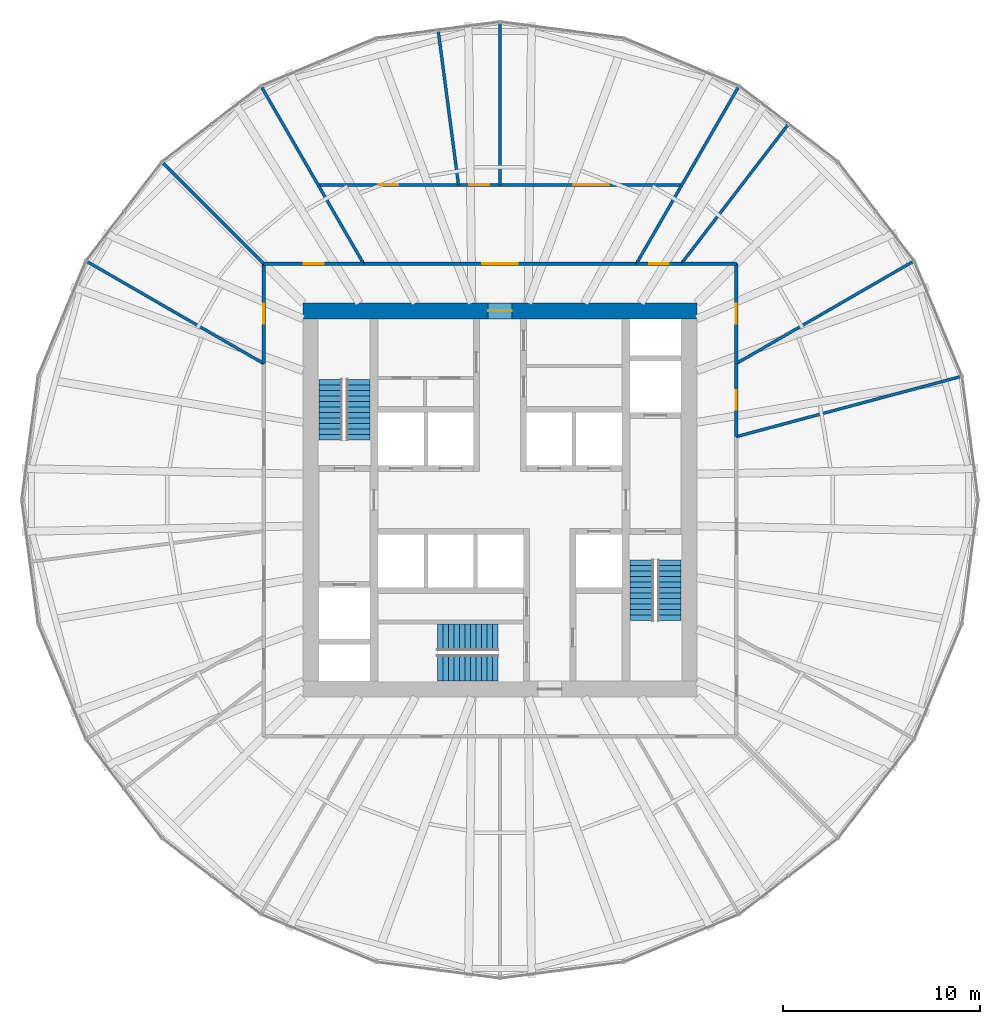
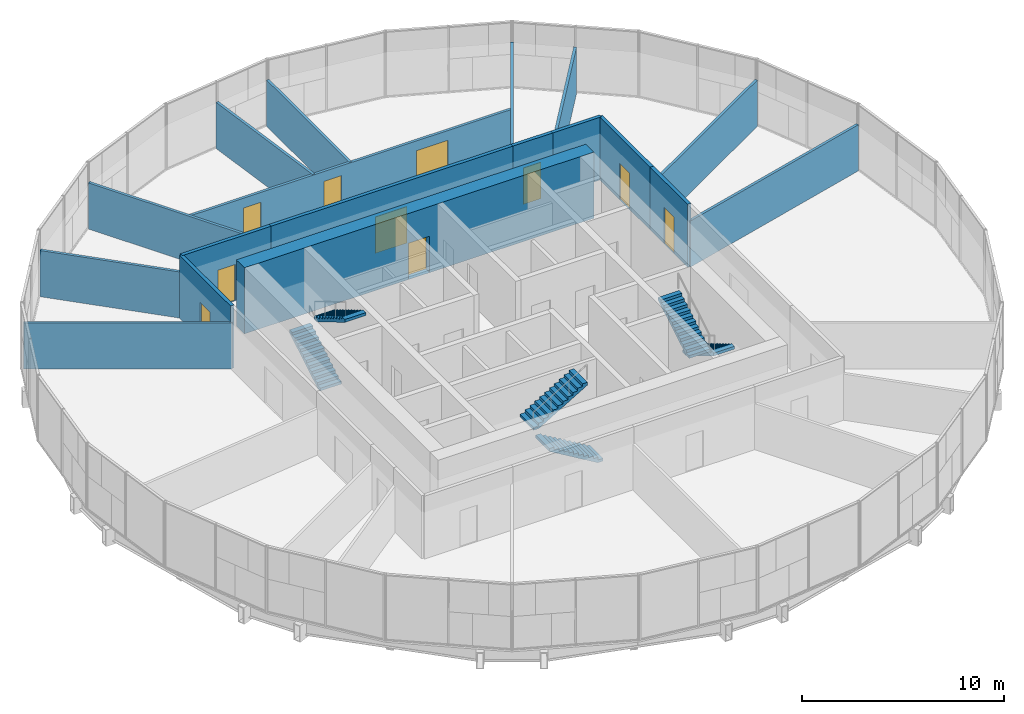
# One storey, part 12 of 13: 18 walls, 10 doors, 6 stair flights, 10 openings, 3 elements without a shape of their own.
"""IFC4 building model written with IfcOpenShell, lengths in metres."""

from ifc_helpers import new_model, si_unit, direction, frame, frame_2d, origin, place, context, subcontext, project, spatial, polyline, rectangle, outline, extrude, material, layer, layer_set, type_object, element, fill, aggregate, save


model = new_model("IFC4")

# Units and contexts
model_context = context("Model", 3, precision=1e-05, world=origin(), true_north=direction((0.0, 1.0)))
body_context = subcontext(model_context, "Body", "Model", "MODEL_VIEW")
ifc_project = project(units=[si_unit("LENGTHUNIT", "METRE"), si_unit("AREAUNIT", "SQUARE_METRE"), si_unit("VOLUMEUNIT", "CUBIC_METRE"), si_unit("PLANEANGLEUNIT", "RADIAN"), si_unit("MASSUNIT", "GRAM", prefix="KILO")], contexts=[model_context])

# Site, building, storey
site_placement = place(None, origin())
site = spatial("IfcSite", under=ifc_project, at=site_placement, CompositionType="ELEMENT")
building_placement = place(site_placement, origin())
building = spatial("IfcBuilding", under=site, at=building_placement, Name="Golbaran Civic Tower", CompositionType="ELEMENT")
storey_placement = place(building_placement, frame((0.0, 0.0, 81.0)))
storey = spatial("IfcBuildingStorey", under=building, at=storey_placement, Name="L19", CompositionType="ELEMENT", Elevation=81.0)

# Wall, opening, door
ifc_material_1 = material(Name="Concrete C50/60", Category="concrete")
ifc_layer_1 = layer(ifc_material_1, 0.800048828125, Name="Concrete C50/60")
ifc_layer_set_1 = layer_set([ifc_layer_1], Name="Concrete C50/60")
wall_type_1 = type_object("IfcWallType", Name="CORE WALL CONCRETE 800", PredefinedType="SOLIDWALL", material=ifc_layer_set_1)
wall_1_placement = place(storey_placement, frame((-10.0, 9.60009765625, 0.0), z_axis=(0.0, 0.0, 1.0), x_axis=(1.0, 0.0, 0.0)))
wall_1 = element("IfcWall", 1, at=wall_1_placement, inside=storey, type_object=wall_type_1, Name="Core wall CN L19", PredefinedType="SOLIDWALL", context=body_context, shape_type="SweptSolid", body=[
    extrude(rectangle(XDim=20.0, YDim=0.800048828125, at=frame_2d((10.0, 0.0))), origin(), (0.0, 0.0, 1.0), 4.0),
])
opening_1_placement = place(wall_1_placement, frame((9.39990234375, 0.0, 0.0)))
opening_1 = element("IfcOpeningElement", 2, at=opening_1_placement, cuts=wall_1, Name="Opening L19.CN", PredefinedType="OPENING", context=body_context, shape_type="SweptSolid", body=[
    extrude(rectangle(XDim=1.199951171875, YDim=2.199951171875, at=frame_2d((0.60009765625, 1.10009765625))), frame((0.0, 0.409912109375, 0.0), z_axis=(0.0, -1.0, 0.0), x_axis=(1.0, 0.0, 0.0)), (0.0, 0.0, 1.0), 0.820068359375),
])
ifc_material_2 = material(Name="Timber door set in steel frame", Category="steel")
door_type_1 = type_object("IfcDoorType", Name="CORE DOOR 1200x2200", OperationType="DOUBLE_DOOR_SINGLE_SWING", PredefinedType="DOOR", material=ifc_material_2)
door_1_placement = place(opening_1_placement, origin())
door_1 = element("IfcDoor", 3, at=door_1_placement, inside=storey, type_object=door_type_1, Name="Core door north", OperationType="DOUBLE_DOOR_SINGLE_SWING", OverallHeight=2.199951171875, OverallWidth=1.199951171875, PredefinedType="DOOR", context=body_context, shape_type="SweptSolid", body=[
    extrude(rectangle(XDim=1.199951171875, YDim=2.199951171875, at=frame_2d((0.60009765625, 1.10009765625))), frame((0.0, 0.02490234375, 0.0), z_axis=(0.0, -1.0, 0.0), x_axis=(1.0, 0.0, 0.0)), (0.0, 0.0, 1.0), 0.050048828125),
])
fill(opening_1, door_1)

ifc_material_3 = material(Name="Gypsum board on steel studs, fire-rated", Category="steel")
ifc_layer_2 = layer(ifc_material_3, 0.199951171875, Name="Gypsum board on steel studs, fire-rated")
ifc_layer_set_2 = layer_set([ifc_layer_2], Name="Gypsum board on steel studs, fire-rated")
wall_type_2 = type_object("IfcWallType", Name="CORRIDOR WALL 200", PredefinedType="PARTITIONING", material=ifc_layer_set_2)
wall_2_placement = place(storey_placement, frame((12.0, 3.21533203125, 0.0), z_axis=(0.0, 0.0, 1.0), x_axis=(0.0, 1.0, 0.0)))
wall_2 = element("IfcWall", 4, at=wall_2_placement, inside=storey, type_object=wall_type_2, Name="Corridor wall L19", PredefinedType="PARTITIONING", context=body_context, shape_type="SweptSolid", body=[
    extrude(rectangle(XDim=3.712890625, YDim=0.199951171875, at=frame_2d((1.8564453125, 0.0))), origin(), (0.0, 0.0, 1.0), 3.800048828125),
])
opening_2_placement = place(wall_2_placement, frame((1.3564453125, 0.0, 0.0)))
opening_2 = element("IfcOpeningElement", 5, at=opening_2_placement, cuts=wall_2, Name="Opening L19.05", PredefinedType="OPENING", context=body_context, shape_type="SweptSolid", body=[
    extrude(rectangle(XDim=1.0, YDim=2.199951171875, at=frame_2d((0.5, 1.10009765625))), frame((0.0, 0.10986328125, 0.0), z_axis=(0.0, -1.0, 0.0), x_axis=(1.0, 0.0, 0.0)), (0.0, 0.0, 1.0), 0.219970703125),
])
door_type_2 = type_object("IfcDoorType", Name="OFFICE DOOR 1000x2200", OperationType="SINGLE_SWING_LEFT", PredefinedType="DOOR", material=ifc_material_2)
door_2_placement = place(opening_2_placement, origin())
door_2 = element("IfcDoor", 6, at=door_2_placement, inside=storey, type_object=door_type_2, Name="Meeting Room door L19", OperationType="SINGLE_SWING_LEFT", OverallHeight=2.199951171875, OverallWidth=1.0, PredefinedType="DOOR", context=body_context, shape_type="SweptSolid", body=[
    extrude(rectangle(XDim=1.0, YDim=2.199951171875, at=frame_2d((0.5, 1.10009765625))), frame((0.0, 0.02490234375, 0.0), z_axis=(0.0, -1.0, 0.0), x_axis=(1.0, 0.0, 0.0)), (0.0, 0.0, 1.0), 0.050048828125),
])
fill(opening_2, door_2)

wall_3_placement = place(storey_placement, frame((12.0, 6.92822265625, 0.0), z_axis=(0.0, 0.0, 1.0), x_axis=(0.0, 1.0, 0.0)))
wall_3 = element("IfcWall", 7, at=wall_3_placement, inside=storey, type_object=wall_type_2, Name="Corridor wall L19", PredefinedType="PARTITIONING", context=body_context, shape_type="SweptSolid", body=[
    extrude(rectangle(XDim=5.07177734375, YDim=0.199951171875, at=frame_2d((2.535888671875, 0.0))), origin(), (0.0, 0.0, 1.0), 3.800048828125),
])
opening_3_placement = place(wall_3_placement, frame((2.035888671875, 0.0, 0.0)))
opening_3 = element("IfcOpeningElement", 8, at=opening_3_placement, cuts=wall_3, Name="Opening L19.06", PredefinedType="OPENING", context=body_context, shape_type="SweptSolid", body=[
    extrude(rectangle(XDim=1.0, YDim=2.199951171875, at=frame_2d((0.5, 1.10009765625))), frame((0.0, 0.10986328125, 0.0), z_axis=(0.0, -1.0, 0.0), x_axis=(1.0, 0.0, 0.0)), (0.0, 0.0, 1.0), 0.219970703125),
])
door_3_placement = place(opening_3_placement, origin())
door_3 = element("IfcDoor", 9, at=door_3_placement, inside=storey, type_object=door_type_2, Name="Pantry door L19", OperationType="SINGLE_SWING_LEFT", OverallHeight=2.199951171875, OverallWidth=1.0, PredefinedType="DOOR", context=body_context, shape_type="SweptSolid", body=[
    extrude(rectangle(XDim=1.0, YDim=2.199951171875, at=frame_2d((0.5, 1.10009765625))), frame((0.0, 0.02490234375, 0.0), z_axis=(0.0, -1.0, 0.0), x_axis=(1.0, 0.0, 0.0)), (0.0, 0.0, 1.0), 0.050048828125),
])
fill(opening_3, door_3)

# Wall
wall_4_placement = place(storey_placement, frame((12.0, 12.0, 0.0), z_axis=(0.0, 0.0, 1.0), x_axis=(-1.0, 0.0, 0.0)))
element("IfcWall", 10, at=wall_4_placement, inside=storey, type_object=wall_type_2, Name="Corridor wall L19", PredefinedType="PARTITIONING", context=body_context, shape_type="SweptSolid", body=[
    extrude(rectangle(XDim=2.7919921875, YDim=0.199951171875, at=frame_2d((1.39599609375, 0.0))), origin(), (0.0, 0.0, 1.0), 3.800048828125),
])

# Wall, opening, door
wall_5_placement = place(storey_placement, frame((9.2080078125, 12.0, 0.0), z_axis=(0.0, 0.0, 1.0), x_axis=(-1.0, 0.0, 0.0)))
wall_5 = element("IfcWall", 11, at=wall_5_placement, inside=storey, type_object=wall_type_2, Name="Corridor wall L19", PredefinedType="PARTITIONING", context=body_context, shape_type="SweptSolid", body=[
    extrude(rectangle(XDim=2.27978515625, YDim=0.199951171875, at=frame_2d((1.139892578125, 0.0))), origin(), (0.0, 0.0, 1.0), 3.800048828125),
])
opening_4_placement = place(wall_5_placement, frame((0.639892578125, 0.0, 0.0)))
opening_4 = element("IfcOpeningElement", 12, at=opening_4_placement, cuts=wall_5, Name="Opening L19.07", PredefinedType="OPENING", context=body_context, shape_type="SweptSolid", body=[
    extrude(rectangle(XDim=1.0, YDim=2.199951171875, at=frame_2d((0.5, 1.10009765625))), frame((0.0, 0.10986328125, 0.0), z_axis=(0.0, -1.0, 0.0), x_axis=(1.0, 0.0, 0.0)), (0.0, 0.0, 1.0), 0.219970703125),
])
door_4_placement = place(opening_4_placement, origin())
door_4 = element("IfcDoor", 13, at=door_4_placement, inside=storey, type_object=door_type_2, Name="Prayer Room door L19", OperationType="SINGLE_SWING_RIGHT", OverallHeight=2.199951171875, OverallWidth=1.0, PredefinedType="DOOR", context=body_context, shape_type="SweptSolid", body=[
    extrude(rectangle(XDim=1.0, YDim=2.199951171875, at=frame_2d((0.5, 1.10009765625))), frame((0.0, 0.02490234375, 0.0), z_axis=(0.0, -1.0, 0.0), x_axis=(1.0, 0.0, 0.0)), (0.0, 0.0, 1.0), 0.050048828125),
])
fill(opening_4, door_4)

wall_6_placement = place(storey_placement, frame((6.92822265625, 12.0, 0.0), z_axis=(0.0, 0.0, 1.0), x_axis=(-1.0, 0.0, 0.0)))
wall_6 = element("IfcWall", 14, at=wall_6_placement, inside=storey, type_object=wall_type_2, Name="Corridor wall L19", PredefinedType="PARTITIONING", context=body_context, shape_type="SweptSolid", body=[
    extrude(rectangle(XDim=13.8564453125, YDim=0.199951171875, at=frame_2d((6.92822265625, 0.0))), origin(), (0.0, 0.0, 1.0), 3.800048828125),
])
opening_5_placement = place(wall_6_placement, frame((6.0283203125, 0.0, 0.0)))
opening_5 = element("IfcOpeningElement", 15, at=opening_5_placement, cuts=wall_6, Name="Opening L19.08", PredefinedType="OPENING", context=body_context, shape_type="SweptSolid", body=[
    extrude(rectangle(XDim=1.800048828125, YDim=2.199951171875, at=frame_2d((0.89990234375, 1.10009765625))), frame((0.0, 0.10986328125, 0.0), z_axis=(0.0, -1.0, 0.0), x_axis=(1.0, 0.0, 0.0)), (0.0, 0.0, 1.0), 0.219970703125),
])
door_type_3 = type_object("IfcDoorType", Name="OFFICE DOUBLE DOOR 1800x2200", OperationType="DOUBLE_DOOR_SINGLE_SWING", PredefinedType="DOOR", material=ifc_material_2)
door_5_placement = place(opening_5_placement, origin())
door_5 = element("IfcDoor", 16, at=door_5_placement, inside=storey, type_object=door_type_3, Name="Secretariat door L19", OperationType="DOUBLE_DOOR_SINGLE_SWING", OverallHeight=2.199951171875, OverallWidth=1.800048828125, PredefinedType="DOOR", context=body_context, shape_type="SweptSolid", body=[
    extrude(rectangle(XDim=1.800048828125, YDim=2.199951171875, at=frame_2d((0.89990234375, 1.10009765625))), frame((0.0, 0.02490234375, 0.0), z_axis=(0.0, -1.0, 0.0), x_axis=(1.0, 0.0, 0.0)), (0.0, 0.0, 1.0), 0.050048828125),
])
fill(opening_5, door_5)

wall_7_placement = place(storey_placement, frame((-6.92822265625, 12.0, 0.0), z_axis=(0.0, 0.0, 1.0), x_axis=(-1.0, 0.0, 0.0)))
wall_7 = element("IfcWall", 17, at=wall_7_placement, inside=storey, type_object=wall_type_2, Name="Corridor wall L19", PredefinedType="PARTITIONING", context=body_context, shape_type="SweptSolid", body=[
    extrude(rectangle(XDim=5.07177734375, YDim=0.199951171875, at=frame_2d((2.535888671875, 0.0))), origin(), (0.0, 0.0, 1.0), 3.800048828125),
])
opening_6_placement = place(wall_7_placement, frame((2.035888671875, 0.0, 0.0)))
opening_6 = element("IfcOpeningElement", 18, at=opening_6_placement, cuts=wall_7, Name="Opening L19.09", PredefinedType="OPENING", context=body_context, shape_type="SweptSolid", body=[
    extrude(rectangle(XDim=1.0, YDim=2.199951171875, at=frame_2d((0.5, 1.10009765625))), frame((0.0, 0.10986328125, 0.0), z_axis=(0.0, -1.0, 0.0), x_axis=(1.0, 0.0, 0.0)), (0.0, 0.0, 1.0), 0.219970703125),
])
door_6_placement = place(opening_6_placement, origin())
door_6 = element("IfcDoor", 19, at=door_6_placement, inside=storey, type_object=door_type_2, Name="Meeting Room door L19", OperationType="SINGLE_SWING_RIGHT", OverallHeight=2.199951171875, OverallWidth=1.0, PredefinedType="DOOR", context=body_context, shape_type="SweptSolid", body=[
    extrude(rectangle(XDim=1.0, YDim=2.199951171875, at=frame_2d((0.5, 1.10009765625))), frame((0.0, 0.02490234375, 0.0), z_axis=(0.0, -1.0, 0.0), x_axis=(1.0, 0.0, 0.0)), (0.0, 0.0, 1.0), 0.050048828125),
])
fill(opening_6, door_6)

wall_8_placement = place(storey_placement, frame((-12.0, 12.0, 0.0), z_axis=(0.0, 0.0, 1.0), x_axis=(0.0, -1.0, 0.0)))
wall_8 = element("IfcWall", 20, at=wall_8_placement, inside=storey, type_object=wall_type_2, Name="Corridor wall L19", PredefinedType="PARTITIONING", context=body_context, shape_type="SweptSolid", body=[
    extrude(rectangle(XDim=5.07177734375, YDim=0.199951171875, at=frame_2d((2.535888671875, 0.0))), origin(), (0.0, 0.0, 1.0), 3.800048828125),
])
opening_7_placement = place(wall_8_placement, frame((2.035888671875, 0.0, 0.0)))
opening_7 = element("IfcOpeningElement", 21, at=opening_7_placement, cuts=wall_8, Name="Opening L19.10", PredefinedType="OPENING", context=body_context, shape_type="SweptSolid", body=[
    extrude(rectangle(XDim=1.0, YDim=2.199951171875, at=frame_2d((0.5, 1.10009765625))), frame((0.0, 0.10986328125, 0.0), z_axis=(0.0, -1.0, 0.0), x_axis=(1.0, 0.0, 0.0)), (0.0, 0.0, 1.0), 0.219970703125),
])
door_7_placement = place(opening_7_placement, origin())
door_7 = element("IfcDoor", 22, at=door_7_placement, inside=storey, type_object=door_type_2, Name="Print and Copy Room door L19", OperationType="SINGLE_SWING_RIGHT", OverallHeight=2.199951171875, OverallWidth=1.0, PredefinedType="DOOR", context=body_context, shape_type="SweptSolid", body=[
    extrude(rectangle(XDim=1.0, YDim=2.199951171875, at=frame_2d((0.5, 1.10009765625))), frame((0.0, 0.02490234375, 0.0), z_axis=(0.0, -1.0, 0.0), x_axis=(1.0, 0.0, 0.0)), (0.0, 0.0, 1.0), 0.050048828125),
])
fill(opening_7, door_7)

# Walls
ifc_material_4 = material(Name="Gypsum board on steel studs", Category="steel")
ifc_layer_3 = layer(ifc_material_4, 0.14990234375, Name="Gypsum board on steel studs")
ifc_layer_set_3 = layer_set([ifc_layer_3], Name="Gypsum board on steel studs")
wall_type_3 = type_object("IfcWallType", Name="OFFICE PARTITION 150", PredefinedType="PARTITIONING", material=ifc_layer_set_3)
wall_9_placement = place(storey_placement, frame((12.0, 3.21533203125, 0.0), z_axis=(0.0, 0.0, 1.0), x_axis=(0.965925934223, 0.258818642288, 0.0)))
element("IfcWall", 23, at=wall_9_placement, inside=storey, type_object=wall_type_3, Name="Partition 15 L19", PredefinedType="PARTITIONING", context=body_context, shape_type="SweptSolid", body=[
    extrude(rectangle(XDim=11.776123046875, YDim=0.14990234375, at=frame_2d((5.88818359375, 0.0))), origin(), (0.0, 0.0, 1.0), 2.7900390625),
])
wall_10_placement = place(storey_placement, frame((12.0, 6.92822265625, 0.0), z_axis=(0.0, 0.0, 1.0), x_axis=(0.866023632182, 0.500003068493, 0.0)))
element("IfcWall", 24, at=wall_10_placement, inside=storey, type_object=wall_type_3, Name="Partition 30 L19", PredefinedType="PARTITIONING", context=body_context, shape_type="SweptSolid", body=[
    extrude(rectangle(XDim=10.3427734375, YDim=0.14990234375, at=frame_2d((5.17138671875, 0.0))), origin(), (0.0, 0.0, 1.0), 2.7900390625),
])
wall_11_placement = place(storey_placement, frame((9.2080078125, 12.0, 0.0), z_axis=(0.0, 0.0, 1.0), x_axis=(0.608757526406, 0.793356334848, 0.0)))
element("IfcWall", 25, at=wall_11_placement, inside=storey, type_object=wall_type_3, Name="Partition 52.5 L19", PredefinedType="PARTITIONING", context=body_context, shape_type="SweptSolid", body=[
    extrude(rectangle(XDim=8.866455078125, YDim=0.14990234375, at=frame_2d((4.43310546875, 0.0))), origin(), (0.0, 0.0, 1.0), 2.7900390625),
])
for number, where, z_axis, x_axis, name in (
    (26, (6.92822265625, 12.0, 0.0), (0.0, 0.0, 1.0), (0.500003068493, 0.866023632182, 0.0), "Partition 60 L19"),
    (27, (-6.92822265625, 12.0, 0.0), (0.0, 0.0, 1.0), (-0.500003068493, 0.866023632182, 0.0), "Partition 120 L19"),
):
    element("IfcWall", number, at=place(storey_placement, frame(where, z_axis=z_axis, x_axis=x_axis)), inside=storey, type_object=wall_type_3, Name=name, PredefinedType="PARTITIONING", context=body_context, shape_type="SweptSolid", body=[
        extrude(rectangle(XDim=10.3427734375, YDim=0.14990234375, at=frame_2d((5.17138671875, 0.0))), origin(), (0.0, 0.0, 1.0), 2.7900390625),
    ])
wall_12_placement = place(storey_placement, frame((-12.0, 12.0, 0.0), z_axis=(0.0, 0.0, 1.0), x_axis=(-0.707106781187, 0.707106781187, 0.0)))
element("IfcWall", 28, at=wall_12_placement, inside=storey, type_object=wall_type_3, Name="Partition 135 L19", PredefinedType="PARTITIONING", context=body_context, shape_type="SweptSolid", body=[
    extrude(rectangle(XDim=7.228515625, YDim=0.14990234375, at=frame_2d((3.6142578125, 0.0))), origin(), (0.0, 0.0, 1.0), 2.7900390625),
])
wall_13_placement = place(storey_placement, frame((-12.0, 6.92822265625, 0.0), z_axis=(0.0, 0.0, 1.0), x_axis=(-0.866023632182, 0.500003068493, 0.0)))
element("IfcWall", 29, at=wall_13_placement, inside=storey, type_object=wall_type_3, Name="Partition 150 L19", PredefinedType="PARTITIONING", context=body_context, shape_type="SweptSolid", body=[
    extrude(rectangle(XDim=10.3427734375, YDim=0.14990234375, at=frame_2d((5.17138671875, 0.0))), origin(), (0.0, 0.0, 1.0), 2.7900390625),
])

# Wall, openings, doors
wall_14_placement = place(storey_placement, frame((9.237548828125, 16.0, 0.0), z_axis=(0.0, 0.0, 1.0), x_axis=(-1.0, 0.0, 0.0)))
wall_14 = element("IfcWall", 30, at=wall_14_placement, inside=storey, type_object=wall_type_3, Name="Suite partition L19", PredefinedType="PARTITIONING", context=body_context, shape_type="SweptSolid", body=[
    extrude(rectangle(XDim=18.47509765625, YDim=0.14990234375, at=frame_2d((9.237548828125, 0.0))), origin(), (0.0, 0.0, 1.0), 2.7900390625),
])
opening_8_placement = place(wall_14_placement, frame((3.71875, 0.0, 0.0)))
opening_8 = element("IfcOpeningElement", 31, at=opening_8_placement, cuts=wall_14, Name="Opening L19.01", PredefinedType="OPENING", context=body_context, shape_type="SweptSolid", body=[
    extrude(rectangle(XDim=1.800048828125, YDim=2.199951171875, at=frame_2d((0.89990234375, 1.10009765625))), frame((0.0, 0.0849609375, 0.0), z_axis=(0.0, -1.0, 0.0), x_axis=(1.0, 0.0, 0.0)), (0.0, 0.0, 1.0), 0.169921875),
])
opening_9_placement = place(wall_14_placement, frame((9.790771484375, 0.0, 0.0)))
opening_9 = element("IfcOpeningElement", 32, at=opening_9_placement, cuts=wall_14, Name="Opening L19.02", PredefinedType="OPENING", context=body_context, shape_type="SweptSolid", body=[
    extrude(rectangle(XDim=1.0, YDim=2.199951171875, at=frame_2d((0.5, 1.10009765625))), frame((0.0, 0.0849609375, 0.0), z_axis=(0.0, -1.0, 0.0), x_axis=(1.0, 0.0, 0.0)), (0.0, 0.0, 1.0), 0.169921875),
])
opening_10_placement = place(wall_14_placement, frame((14.40966796875, 0.0, 0.0)))
opening_10 = element("IfcOpeningElement", 33, at=opening_10_placement, cuts=wall_14, Name="Opening L19.03", PredefinedType="OPENING", context=body_context, shape_type="SweptSolid", body=[
    extrude(rectangle(XDim=1.0, YDim=2.199951171875, at=frame_2d((0.5, 1.10009765625))), frame((0.0, 0.0849609375, 0.0), z_axis=(0.0, -1.0, 0.0), x_axis=(1.0, 0.0, 0.0)), (0.0, 0.0, 1.0), 0.169921875),
])
door_8_placement = place(opening_9_placement, origin())
door_8 = element("IfcDoor", 34, at=door_8_placement, inside=storey, type_object=door_type_2, Name="Office door L19", OperationType="SINGLE_SWING_RIGHT", OverallHeight=2.199951171875, OverallWidth=1.0, PredefinedType="DOOR", context=body_context, shape_type="SweptSolid", body=[
    extrude(rectangle(XDim=1.0, YDim=2.199951171875, at=frame_2d((0.5, 1.10009765625))), frame((0.0, 0.02490234375, 0.0), z_axis=(0.0, -1.0, 0.0), x_axis=(1.0, 0.0, 0.0)), (0.0, 0.0, 1.0), 0.050048828125),
])
fill(opening_9, door_8)
door_9_placement = place(opening_10_placement, origin())
door_9 = element("IfcDoor", 35, at=door_9_placement, inside=storey, type_object=door_type_2, Name="Director's Office door L19", OperationType="SINGLE_SWING_RIGHT", OverallHeight=2.199951171875, OverallWidth=1.0, PredefinedType="DOOR", context=body_context, shape_type="SweptSolid", body=[
    extrude(rectangle(XDim=1.0, YDim=2.199951171875, at=frame_2d((0.5, 1.10009765625))), frame((0.0, 0.02490234375, 0.0), z_axis=(0.0, -1.0, 0.0), x_axis=(1.0, 0.0, 0.0)), (0.0, 0.0, 1.0), 0.050048828125),
])
fill(opening_10, door_9)
door_10_placement = place(opening_8_placement, origin())
door_10 = element("IfcDoor", 36, at=door_10_placement, inside=storey, type_object=door_type_3, Name="Director's Office door L19", OperationType="DOUBLE_DOOR_SINGLE_SWING", OverallHeight=2.199951171875, OverallWidth=1.800048828125, PredefinedType="DOOR", context=body_context, shape_type="SweptSolid", body=[
    extrude(rectangle(XDim=1.800048828125, YDim=2.199951171875, at=frame_2d((0.89990234375, 1.10009765625))), frame((0.0, 0.02490234375, 0.0), z_axis=(0.0, -1.0, 0.0), x_axis=(1.0, 0.0, 0.0)), (0.0, 0.0, 1.0), 0.050048828125),
])
fill(opening_8, door_10)

# Walls
wall_15_placement = place(storey_placement, frame((0.0, 16.0, 0.0), z_axis=(0.0, 0.0, 1.0), x_axis=(0.0, 1.0, 0.0)))
element("IfcWall", 37, at=wall_15_placement, inside=storey, type_object=wall_type_3, Name="Partition 90 L19", PredefinedType="PARTITIONING", context=body_context, shape_type="SweptSolid", body=[
    extrude(rectangle(XDim=8.19921875, YDim=0.14990234375, at=frame_2d((4.099609375, 0.0))), origin(), (0.0, 0.0, 1.0), 2.7900390625),
])
wall_16_placement = place(storey_placement, frame((-2.1064453125, 16.0, 0.0), z_axis=(0.0, 0.0, 1.0), x_axis=(-0.130524468592, 0.991445088292, 0.0)))
element("IfcWall", 38, at=wall_16_placement, inside=storey, type_object=wall_type_3, Name="Partition 97.5 L19", PredefinedType="PARTITIONING", context=body_context, shape_type="SweptSolid", body=[
    extrude(rectangle(XDim=7.85400390625, YDim=0.14990234375, at=frame_2d((3.927001953125, 0.0))), origin(), (0.0, 0.0, 1.0), 2.7900390625),
])

# Stair, stair flights
ifc_material_5 = material(Name="Concrete C35/45", Category="concrete")
stair_type_1 = type_object("IfcStairType", Name="EXIT STAIR 2600 x 7450, 4000 RISE", PredefinedType="HALF_TURN_STAIR", material=ifc_material_5)
stair_1_placement = place(storey_placement, origin())
stair_1 = element("IfcStair", 39, at=stair_1_placement, inside=storey, type_object=stair_type_1, Name="Stair S1 L19", PredefinedType="HALF_TURN_STAIR")
stair_flight_type_1 = type_object("IfcStairFlightType", Name="STAIR FLIGHT 1200 WIDE", PredefinedType="STRAIGHT", material=ifc_material_5)
stair_flight_1_placement = place(storey_placement, frame((-8.60009765625, 3.050048828125, 0.0), z_axis=(0.0, 0.0, 1.0), x_axis=(0.0, 1.0, 0.0)))
stair_flight_1 = element("IfcStairFlight", 40, at=stair_flight_1_placement, type_object=stair_flight_type_1, Name="ST26074-40 flight 1", NumberOfRisers=12, NumberOfTreads=11, PredefinedType="STRAIGHT", RiserHeight=0.166666667, TreadLength=0.28, context=body_context, shape_type="SweptSolid", body=[
    extrude(outline(polyline([(0.0, 0.0), (0.0, 0.166748046875), (0.280029296875, 0.166748046875), (0.280029296875, 0.333251953125), (0.56005859375, 0.333251953125), (0.56005859375, 0.5), (0.840087890625, 0.5), (0.840087890625, 0.666748046875), (1.1201171875, 0.666748046875), (1.1201171875, 0.833251953125), (1.39990234375, 0.833251953125), (1.39990234375, 1.0), (1.679931640625, 1.0), (1.679931640625, 1.166748046875), (1.9599609375, 1.166748046875), (1.9599609375, 1.333251953125), (2.239990234375, 1.333251953125), (2.239990234375, 1.5), (2.52001953125, 1.5), (2.52001953125, 1.666748046875), (2.800048828125, 1.666748046875), (2.800048828125, 1.833251953125), (3.080078125, 1.833251953125), (3.080078125, 2.0), (3.080078125, 1.658935546875), (0.29296875, 0.0), (0.0, 0.0)])), frame((0.0, 0.60009765625, 0.0), z_axis=(0.0, -1.0, 0.0), x_axis=(1.0, 0.0, 0.0)), (0.0, 0.0, 1.0), 1.199951171875),
])
stair_flight_2_placement = place(storey_placement, frame((-7.199951171875, 6.1298828125, 2.0), z_axis=(0.0, 0.0, 1.0), x_axis=(0.0, -1.0, 0.0)))
stair_flight_2 = element("IfcStairFlight", 41, at=stair_flight_2_placement, type_object=stair_flight_type_1, Name="ST26074-40 flight 2", NumberOfRisers=12, NumberOfTreads=11, PredefinedType="STRAIGHT", RiserHeight=0.166666667, TreadLength=0.28, context=body_context, shape_type="SweptSolid", body=[
    extrude(outline(polyline([(0.0, 0.0), (0.0, 0.166748046875), (0.280029296875, 0.166748046875), (0.280029296875, 0.333251953125), (0.56005859375, 0.333251953125), (0.56005859375, 0.5), (0.840087890625, 0.5), (0.840087890625, 0.666748046875), (1.1201171875, 0.666748046875), (1.1201171875, 0.833251953125), (1.39990234375, 0.833251953125), (1.39990234375, 1.0), (1.679931640625, 1.0), (1.679931640625, 1.166748046875), (1.9599609375, 1.166748046875), (1.9599609375, 1.333251953125), (2.239990234375, 1.333251953125), (2.239990234375, 1.5), (2.52001953125, 1.5), (2.52001953125, 1.666748046875), (2.800048828125, 1.666748046875), (2.800048828125, 1.833251953125), (3.080078125, 1.833251953125), (3.080078125, 2.0), (3.080078125, 1.658935546875), (0.29296875, 0.0), (0.0, 0.0)])), frame((0.0, 0.60009765625, 0.0), z_axis=(0.0, -1.0, 0.0), x_axis=(1.0, 0.0, 0.0)), (0.0, 0.0, 1.0), 1.199951171875),
])
aggregate(stair_1, [stair_flight_1, stair_flight_2])

stair_2_placement = place(storey_placement, origin())
stair_2 = element("IfcStair", 42, at=stair_2_placement, inside=storey, type_object=stair_type_1, Name="Stair S2 L19", PredefinedType="HALF_TURN_STAIR")
stair_flight_3_placement = place(storey_placement, frame((8.60009765625, -3.050048828125, 0.0), z_axis=(0.0, 0.0, 1.0), x_axis=(0.0, -1.0, 0.0)))
stair_flight_3 = element("IfcStairFlight", 43, at=stair_flight_3_placement, type_object=stair_flight_type_1, Name="ST26074-40 flight 1", NumberOfRisers=12, NumberOfTreads=11, PredefinedType="STRAIGHT", RiserHeight=0.166666667, TreadLength=0.28, context=body_context, shape_type="SweptSolid", body=[
    extrude(outline(polyline([(0.0, 0.0), (0.0, 0.166748046875), (0.280029296875, 0.166748046875), (0.280029296875, 0.333251953125), (0.56005859375, 0.333251953125), (0.56005859375, 0.5), (0.840087890625, 0.5), (0.840087890625, 0.666748046875), (1.1201171875, 0.666748046875), (1.1201171875, 0.833251953125), (1.39990234375, 0.833251953125), (1.39990234375, 1.0), (1.679931640625, 1.0), (1.679931640625, 1.166748046875), (1.9599609375, 1.166748046875), (1.9599609375, 1.333251953125), (2.239990234375, 1.333251953125), (2.239990234375, 1.5), (2.52001953125, 1.5), (2.52001953125, 1.666748046875), (2.800048828125, 1.666748046875), (2.800048828125, 1.833251953125), (3.080078125, 1.833251953125), (3.080078125, 2.0), (3.080078125, 1.658935546875), (0.29296875, 0.0), (0.0, 0.0)])), frame((0.0, 0.60009765625, 0.0), z_axis=(0.0, -1.0, 0.0), x_axis=(1.0, 0.0, 0.0)), (0.0, 0.0, 1.0), 1.199951171875),
])
stair_flight_4_placement = place(storey_placement, frame((7.199951171875, -6.1298828125, 2.0), z_axis=(0.0, 0.0, 1.0), x_axis=(0.0, 1.0, 0.0)))
stair_flight_4 = element("IfcStairFlight", 44, at=stair_flight_4_placement, type_object=stair_flight_type_1, Name="ST26074-40 flight 2", NumberOfRisers=12, NumberOfTreads=11, PredefinedType="STRAIGHT", RiserHeight=0.166666667, TreadLength=0.28, context=body_context, shape_type="SweptSolid", body=[
    extrude(outline(polyline([(0.0, 0.0), (0.0, 0.166748046875), (0.280029296875, 0.166748046875), (0.280029296875, 0.333251953125), (0.56005859375, 0.333251953125), (0.56005859375, 0.5), (0.840087890625, 0.5), (0.840087890625, 0.666748046875), (1.1201171875, 0.666748046875), (1.1201171875, 0.833251953125), (1.39990234375, 0.833251953125), (1.39990234375, 1.0), (1.679931640625, 1.0), (1.679931640625, 1.166748046875), (1.9599609375, 1.166748046875), (1.9599609375, 1.333251953125), (2.239990234375, 1.333251953125), (2.239990234375, 1.5), (2.52001953125, 1.5), (2.52001953125, 1.666748046875), (2.800048828125, 1.666748046875), (2.800048828125, 1.833251953125), (3.080078125, 1.833251953125), (3.080078125, 2.0), (3.080078125, 1.658935546875), (0.29296875, 0.0), (0.0, 0.0)])), frame((0.0, 0.60009765625, 0.0), z_axis=(0.0, -1.0, 0.0), x_axis=(1.0, 0.0, 0.0)), (0.0, 0.0, 1.0), 1.199951171875),
])
aggregate(stair_2, [stair_flight_3, stair_flight_4])

stair_type_2 = type_object("IfcStairType", Name="EXIT STAIR 2900 x 7400, 4000 RISE", PredefinedType="HALF_TURN_STAIR", material=ifc_material_5)
stair_3_placement = place(storey_placement, origin())
stair_3 = element("IfcStair", 45, at=stair_3_placement, inside=storey, type_object=stair_type_2, Name="Stair S3 L19", PredefinedType="HALF_TURN_STAIR")
stair_flight_type_2 = type_object("IfcStairFlightType", Name="STAIR FLIGHT 1350 WIDE", PredefinedType="STRAIGHT", material=ifc_material_5)
stair_flight_5_placement = place(storey_placement, frame((-0.10009765625, -8.52490234375, 0.0), z_axis=(0.0, 0.0, 1.0), x_axis=(-1.0, 0.0, 0.0)))
stair_flight_5 = element("IfcStairFlight", 46, at=stair_flight_5_placement, type_object=stair_flight_type_2, Name="ST29074-40 flight 1", NumberOfRisers=12, NumberOfTreads=11, PredefinedType="STRAIGHT", RiserHeight=0.166666667, TreadLength=0.28, context=body_context, shape_type="SweptSolid", body=[
    extrude(outline(polyline([(0.0, 0.0), (0.0, 0.166748046875), (0.280029296875, 0.166748046875), (0.280029296875, 0.333251953125), (0.56005859375, 0.333251953125), (0.56005859375, 0.5), (0.840087890625, 0.5), (0.840087890625, 0.666748046875), (1.1201171875, 0.666748046875), (1.1201171875, 0.833251953125), (1.39990234375, 0.833251953125), (1.39990234375, 1.0), (1.679931640625, 1.0), (1.679931640625, 1.166748046875), (1.9599609375, 1.166748046875), (1.9599609375, 1.333251953125), (2.239990234375, 1.333251953125), (2.239990234375, 1.5), (2.52001953125, 1.5), (2.52001953125, 1.666748046875), (2.800048828125, 1.666748046875), (2.800048828125, 1.833251953125), (3.080078125, 1.833251953125), (3.080078125, 2.0), (3.080078125, 1.658935546875), (0.29296875, 0.0), (0.0, 0.0)])), frame((0.0, 0.675048828125, 0.0), z_axis=(0.0, -1.0, 0.0), x_axis=(1.0, 0.0, 0.0)), (0.0, 0.0, 1.0), 1.35009765625),
])
stair_flight_6_placement = place(storey_placement, frame((-3.179931640625, -6.97509765625, 2.0), z_axis=(0.0, 0.0, 1.0), x_axis=(1.0, 0.0, 0.0)))
stair_flight_6 = element("IfcStairFlight", 47, at=stair_flight_6_placement, type_object=stair_flight_type_2, Name="ST29074-40 flight 2", NumberOfRisers=12, NumberOfTreads=11, PredefinedType="STRAIGHT", RiserHeight=0.166666667, TreadLength=0.28, context=body_context, shape_type="SweptSolid", body=[
    extrude(outline(polyline([(0.0, 0.0), (0.0, 0.166748046875), (0.280029296875, 0.166748046875), (0.280029296875, 0.333251953125), (0.56005859375, 0.333251953125), (0.56005859375, 0.5), (0.840087890625, 0.5), (0.840087890625, 0.666748046875), (1.1201171875, 0.666748046875), (1.1201171875, 0.833251953125), (1.39990234375, 0.833251953125), (1.39990234375, 1.0), (1.679931640625, 1.0), (1.679931640625, 1.166748046875), (1.9599609375, 1.166748046875), (1.9599609375, 1.333251953125), (2.239990234375, 1.333251953125), (2.239990234375, 1.5), (2.52001953125, 1.5), (2.52001953125, 1.666748046875), (2.800048828125, 1.666748046875), (2.800048828125, 1.833251953125), (3.080078125, 1.833251953125), (3.080078125, 2.0), (3.080078125, 1.658935546875), (0.29296875, 0.0), (0.0, 0.0)])), frame((0.0, 0.675048828125, 0.0), z_axis=(0.0, -1.0, 0.0), x_axis=(1.0, 0.0, 0.0)), (0.0, 0.0, 1.0), 1.35009765625),
])
aggregate(stair_3, [stair_flight_5, stair_flight_6])

save(model, "model.ifc")
